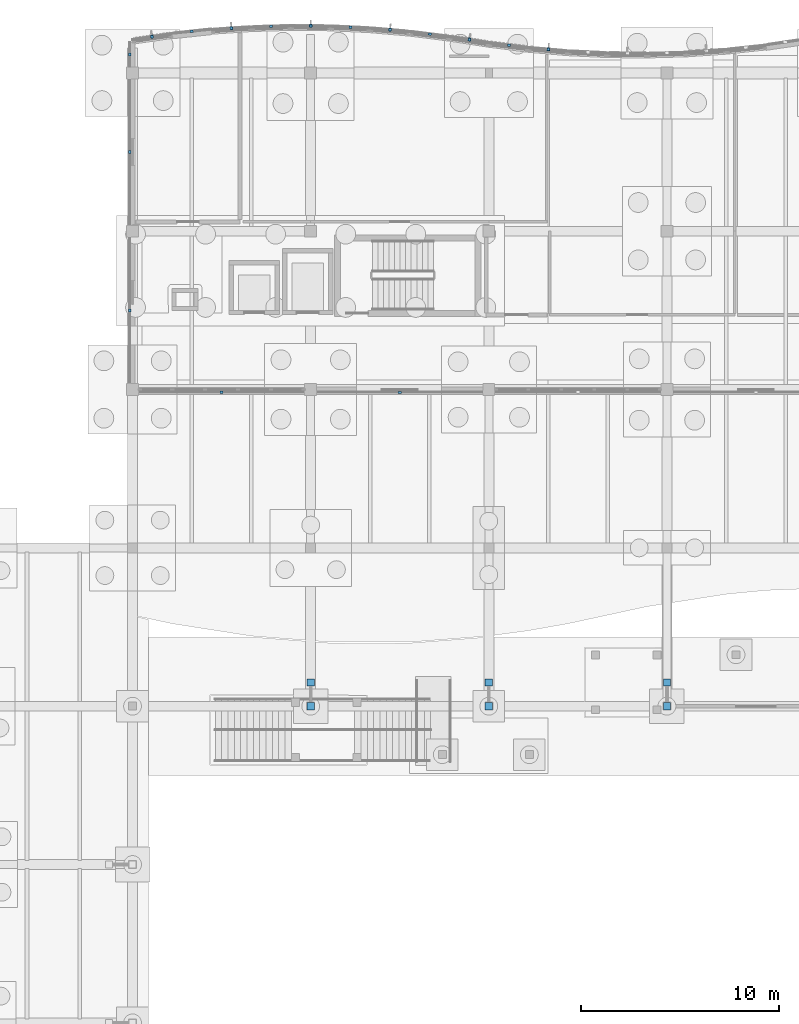
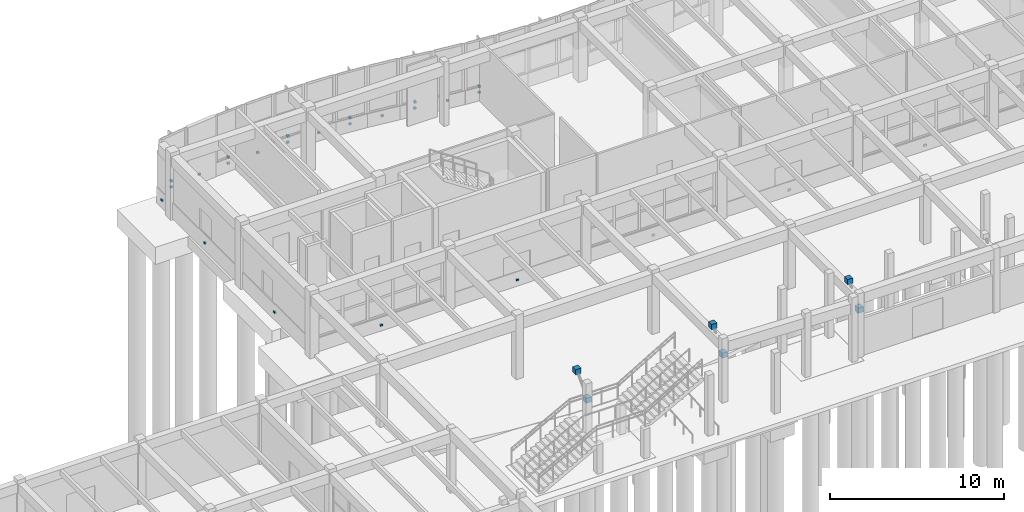
# One storey, part 79 of 99: 28 discrete accessories.
"""IFC4 building model written with IfcOpenShell, lengths in metres."""

from ifc_helpers import new_model, si_unit, direction, frame, origin, origin_2d, place, context, subcontext, project, spatial, rectangle, extrude, material, type_object, element, save


model = new_model("IFC4")

# Units and contexts
model_context = context("Model", 3, precision=1e-05, world=origin(), true_north=direction((0.0, 1.0)))
body_context = subcontext(model_context, "Body", "Model", "MODEL_VIEW")
ifc_project = project(units=[si_unit("LENGTHUNIT", "METRE"), si_unit("AREAUNIT", "SQUARE_METRE"), si_unit("VOLUMEUNIT", "CUBIC_METRE"), si_unit("PLANEANGLEUNIT", "RADIAN"), si_unit("MASSUNIT", "GRAM", prefix="KILO")], contexts=[model_context])

# Site, building, storey
site_placement = place(None, origin())
site = spatial("IfcSite", under=ifc_project, at=site_placement, CompositionType="ELEMENT")
building_placement = place(site_placement, origin())
building = spatial("IfcBuilding", under=site, at=building_placement, Name="Tonlespit Floodbar School", CompositionType="ELEMENT")
storey_placement = place(building_placement, origin())
storey = spatial("IfcBuildingStorey", under=building, at=storey_placement, Name="L00", CompositionType="ELEMENT", Elevation=0.0)

# Discrete accessories
ifc_material_1 = material(Name="Galvanised Steel", Category="steel")
discrete_accessory_type_1 = type_object("IfcDiscreteAccessoryType", Name="Bracket_Facade_S355", PredefinedType="BRACKET", material=ifc_material_1)
discrete_accessory_1_placement = place(storey_placement, frame((44.981201171875, 121.824462890625, 0.35498046875), z_axis=(0.0, 0.0, 1.0), x_axis=(0.989537627347, 0.144275029245, 0.0)))
element("IfcDiscreteAccessory", 1, at=discrete_accessory_1_placement, inside=storey, type_object=discrete_accessory_type_1, Name="L00 white band support bracket 0001", PredefinedType="BRACKET", context=body_context, shape_type="SweptSolid", body=[
    extrude(rectangle(XDim=0.159912109375, YDim=0.1201171875, at=origin_2d()), origin(), (0.0, 0.0, 1.0), 0.1201171875),
])
discrete_accessory_2_placement = place(storey_placement, frame((44.979736328125, 121.834228515625, 0.7802734375), z_axis=(0.0, 0.0, 1.0), x_axis=(0.989537627347, 0.144275029245, 0.0)))
element("IfcDiscreteAccessory", 2, at=discrete_accessory_2_placement, inside=storey, type_object=discrete_accessory_type_1, Name="Solar fin support bracket 001", PredefinedType="BRACKET", context=body_context, shape_type="SweptSolid", body=[
    extrude(rectangle(XDim=0.1201171875, YDim=0.179931640625, at=origin_2d()), origin(), (0.0, 0.0, 1.0), 0.139892578125),
])
for number, where, z_axis, x_axis, name in (
    (3, (46.984130859375, 122.09716796875, 0.3798828125), (0.0, 0.0, 1.0), (0.99439234017, 0.105753835922, 0.0), "L00 white band support bracket 0002"),
    (4, (48.9912109375, 122.25146484375, 0.35498046875), (0.0, 0.0, 1.0), (0.997729639049, 0.067346621018, 0.0), "L00 white band support bracket 0003"),
):
    element("IfcDiscreteAccessory", number, at=place(storey_placement, frame(where, z_axis=z_axis, x_axis=x_axis)), inside=storey, type_object=discrete_accessory_type_1, Name=name, PredefinedType="BRACKET", context=body_context, shape_type="SweptSolid", body=[
        extrude(rectangle(XDim=0.159912109375, YDim=0.1201171875, at=origin_2d()), origin(), (0.0, 0.0, 1.0), 0.1201171875),
    ])
discrete_accessory_3_placement = place(storey_placement, frame((48.990478515625, 122.261474609375, 0.7802734375), z_axis=(0.0, 0.0, 1.0), x_axis=(0.997729639049, 0.067346621018, 0.0)))
element("IfcDiscreteAccessory", 5, at=discrete_accessory_3_placement, inside=storey, type_object=discrete_accessory_type_1, Name="Solar fin support bracket 002", PredefinedType="BRACKET", context=body_context, shape_type="SweptSolid", body=[
    extrude(rectangle(XDim=0.1201171875, YDim=0.179931640625, at=origin_2d()), origin(), (0.0, 0.0, 1.0), 0.139892578125),
])
for number, where, z_axis, x_axis, name in (
    (6, (50.996337890625, 122.34814453125, 0.35498046875), (0.0, 0.0, 1.0), (0.999584110869, 0.02883756748, 0.0), "L00 white band support bracket 0004"),
    (7, (53.001220703125, 122.367431640625, 0.35498046875), (0.0, 0.0, 1.0), (0.999953926969, -0.009599163462, 0.0), "L00 white band support bracket 0005"),
):
    element("IfcDiscreteAccessory", number, at=place(storey_placement, frame(where, z_axis=z_axis, x_axis=x_axis)), inside=storey, type_object=discrete_accessory_type_1, Name=name, PredefinedType="BRACKET", context=body_context, shape_type="SweptSolid", body=[
        extrude(rectangle(XDim=0.159912109375, YDim=0.1201171875, at=origin_2d()), origin(), (0.0, 0.0, 1.0), 0.1201171875),
    ])
discrete_accessory_4_placement = place(storey_placement, frame((53.001220703125, 122.37744140625, 0.7802734375), z_axis=(0.0, 0.0, 1.0), x_axis=(0.999953926969, -0.009599163462, 0.0)))
element("IfcDiscreteAccessory", 8, at=discrete_accessory_4_placement, inside=storey, type_object=discrete_accessory_type_1, Name="Solar fin support bracket 003", PredefinedType="BRACKET", context=body_context, shape_type="SweptSolid", body=[
    extrude(rectangle(XDim=0.1201171875, YDim=0.179931640625, at=origin_2d()), origin(), (0.0, 0.0, 1.0), 0.139892578125),
])
for number, where, z_axis, x_axis, name in (
    (9, (55.00634765625, 122.3095703125, 0.35498046875), (0.0, 0.0, 1.0), (0.998842769234, -0.048094930587, 0.0), "L00 white band support bracket 0006"),
    (10, (57.01123046875, 122.174072265625, 0.35498046875), (0.0, 0.0, 1.0), (0.996245486492, -0.086573267488, 0.0), "L00 white band support bracket 0007"),
):
    element("IfcDiscreteAccessory", number, at=place(storey_placement, frame(where, z_axis=z_axis, x_axis=x_axis)), inside=storey, type_object=discrete_accessory_type_1, Name=name, PredefinedType="BRACKET", context=body_context, shape_type="SweptSolid", body=[
        extrude(rectangle(XDim=0.159912109375, YDim=0.1201171875, at=origin_2d()), origin(), (0.0, 0.0, 1.0), 0.1201171875),
    ])
discrete_accessory_5_placement = place(storey_placement, frame((57.01220703125, 122.18408203125, 0.7802734375), z_axis=(0.0, 0.0, 1.0), x_axis=(0.996245486492, -0.086573267488, 0.0)))
element("IfcDiscreteAccessory", 11, at=discrete_accessory_5_placement, inside=storey, type_object=discrete_accessory_type_1, Name="Solar fin support bracket 004", PredefinedType="BRACKET", context=body_context, shape_type="SweptSolid", body=[
    extrude(rectangle(XDim=0.1201171875, YDim=0.179931640625, at=origin_2d()), origin(), (0.0, 0.0, 1.0), 0.139892578125),
])
for number, where, z_axis, x_axis, name in (
    (12, (59.016357421875, 121.960693359375, 0.35498046875), (0.0, 0.0, 1.0), (0.99215533612, -0.125011155539, 0.0), "L00 white band support bracket 0008"),
    (13, (61.02001953125, 121.678466796875, 0.35498046875), (0.0, 0.0, 1.0), (0.988094768361, -0.153846445322, 0.0), "L00 white band support bracket 0009"),
):
    element("IfcDiscreteAccessory", number, at=place(storey_placement, frame(where, z_axis=z_axis, x_axis=x_axis)), inside=storey, type_object=discrete_accessory_type_1, Name=name, PredefinedType="BRACKET", context=body_context, shape_type="SweptSolid", body=[
        extrude(rectangle(XDim=0.159912109375, YDim=0.1201171875, at=origin_2d()), origin(), (0.0, 0.0, 1.0), 0.1201171875),
    ])
discrete_accessory_6_placement = place(storey_placement, frame((61.021484375, 121.688232421875, 0.7802734375), z_axis=(0.0, 0.0, 1.0), x_axis=(0.988094768361, -0.153846445322, 0.0)))
element("IfcDiscreteAccessory", 14, at=discrete_accessory_6_placement, inside=storey, type_object=discrete_accessory_type_1, Name="Solar fin support bracket 005", PredefinedType="BRACKET", context=body_context, shape_type="SweptSolid", body=[
    extrude(rectangle(XDim=0.1201171875, YDim=0.179931640625, at=origin_2d()), origin(), (0.0, 0.0, 1.0), 0.139892578125),
])
for number, where, z_axis, x_axis, name in (
    (15, (63.016357421875, 121.397216796875, 0.35498046875), (0.0, 0.0, 1.0), (0.99215533612, -0.125011155539, 0.0), "L00 white band support bracket 0010"),
    (16, (65.01123046875, 121.184814453125, 0.35498046875), (0.0, 0.0, 1.0), (0.996245486492, -0.086573267488, 0.0), "L00 white band support bracket 0011"),
):
    element("IfcDiscreteAccessory", number, at=place(storey_placement, frame(where, z_axis=z_axis, x_axis=x_axis)), inside=storey, type_object=discrete_accessory_type_1, Name=name, PredefinedType="BRACKET", context=body_context, shape_type="SweptSolid", body=[
        extrude(rectangle(XDim=0.159912109375, YDim=0.1201171875, at=origin_2d()), origin(), (0.0, 0.0, 1.0), 0.1201171875),
    ])
discrete_accessory_7_placement = place(storey_placement, frame((65.01220703125, 121.19482421875, 0.7802734375), z_axis=(0.0, 0.0, 1.0), x_axis=(0.996245486492, -0.086573267488, 0.0)))
element("IfcDiscreteAccessory", 17, at=discrete_accessory_7_placement, inside=storey, type_object=discrete_accessory_type_1, Name="Solar fin support bracket 006", PredefinedType="BRACKET", context=body_context, shape_type="SweptSolid", body=[
    extrude(rectangle(XDim=0.1201171875, YDim=0.179931640625, at=origin_2d()), origin(), (0.0, 0.0, 1.0), 0.139892578125),
])
for number, where, z_axis, x_axis, name in (
    (18, (57.5, 103.85009765625, 0.3798828125), (0.0, 0.0, 1.0), (-1.0, 0.0, 0.0), "L00 white band support bracket 0043"),
    (19, (48.5, 103.8701171875, 0.35498046875), (0.0, 0.0, 1.0), (-1.0, 0.0, 0.0), "L00 white band support bracket 0044"),
    (20, (43.85009765625, 108.0, 0.3798828125), (0.0, 0.0, 1.0), (0.0, 1.0, 0.0), "L00 white band support bracket 0045"),
    (21, (43.85009765625, 116.0, 0.3798828125), (0.0, 0.0, 1.0), (0.0, 1.0, 0.0), "L00 white band support bracket 0046"),
    (22, (43.85009765625, 120.925048828125, 0.3798828125), (0.0, 0.0, 1.0), (0.0, 1.0, 0.0), "L00 white band support bracket 0047"),
):
    element("IfcDiscreteAccessory", number, at=place(storey_placement, frame(where, z_axis=z_axis, x_axis=x_axis)), inside=storey, type_object=discrete_accessory_type_1, Name=name, PredefinedType="BRACKET", context=body_context, shape_type="SweptSolid", body=[
        extrude(rectangle(XDim=0.159912109375, YDim=0.1201171875, at=origin_2d()), origin(), (0.0, 0.0, 1.0), 0.1201171875),
    ])
ifc_material_2 = material(Name="Steel S355", Category="steel")
discrete_accessory_type_2 = type_object("IfcDiscreteAccessoryType", Name="GussetShoe_Brace_S355", PredefinedType="SHOE", material=ifc_material_2)
for number, where, z_axis, x_axis, name in (
    (23, (53.0, 88.0, 3.1201171875), (0.0, 0.0, 1.0), (1.0, 0.0, 0.0), "L00 brace and chord end gusset shoe 0061"),
    (24, (53.0, 89.199951171875, 4.39990234375), (0.0, 0.0, 1.0), (1.0, 0.0, 0.0), "L00 brace and chord end gusset shoe 0062"),
    (25, (62.0, 88.0, 3.1201171875), (0.0, 0.0, 1.0), (1.0, 0.0, 0.0), "L00 brace and chord end gusset shoe 0063"),
    (26, (62.0, 89.199951171875, 4.39990234375), (0.0, 0.0, 1.0), (1.0, 0.0, 0.0), "L00 brace and chord end gusset shoe 0064"),
    (27, (71.0, 88.0, 3.1201171875), (0.0, 0.0, 1.0), (1.0, 0.0, 0.0), "L00 brace and chord end gusset shoe 0065"),
    (28, (71.0, 89.199951171875, 4.39990234375), (0.0, 0.0, 1.0), (1.0, 0.0, 0.0), "L00 brace and chord end gusset shoe 0066"),
):
    element("IfcDiscreteAccessory", number, at=place(storey_placement, frame(where, z_axis=z_axis, x_axis=x_axis)), inside=storey, type_object=discrete_accessory_type_2, Name=name, PredefinedType="SHOE", context=body_context, shape_type="SweptSolid", body=[
        extrude(rectangle(XDim=0.360107421875, YDim=0.360107421875, at=origin_2d()), origin(), (0.0, 0.0, 1.0), 0.360107421875),
    ])

save(model, "model.ifc")
